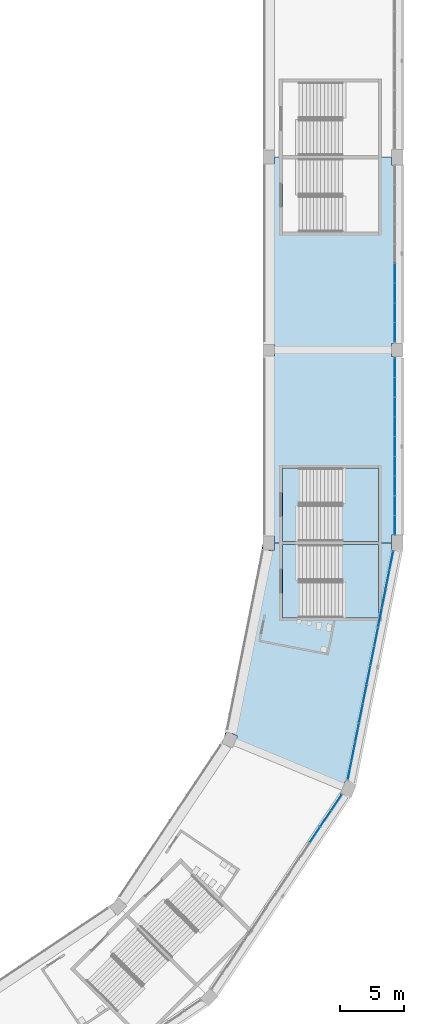
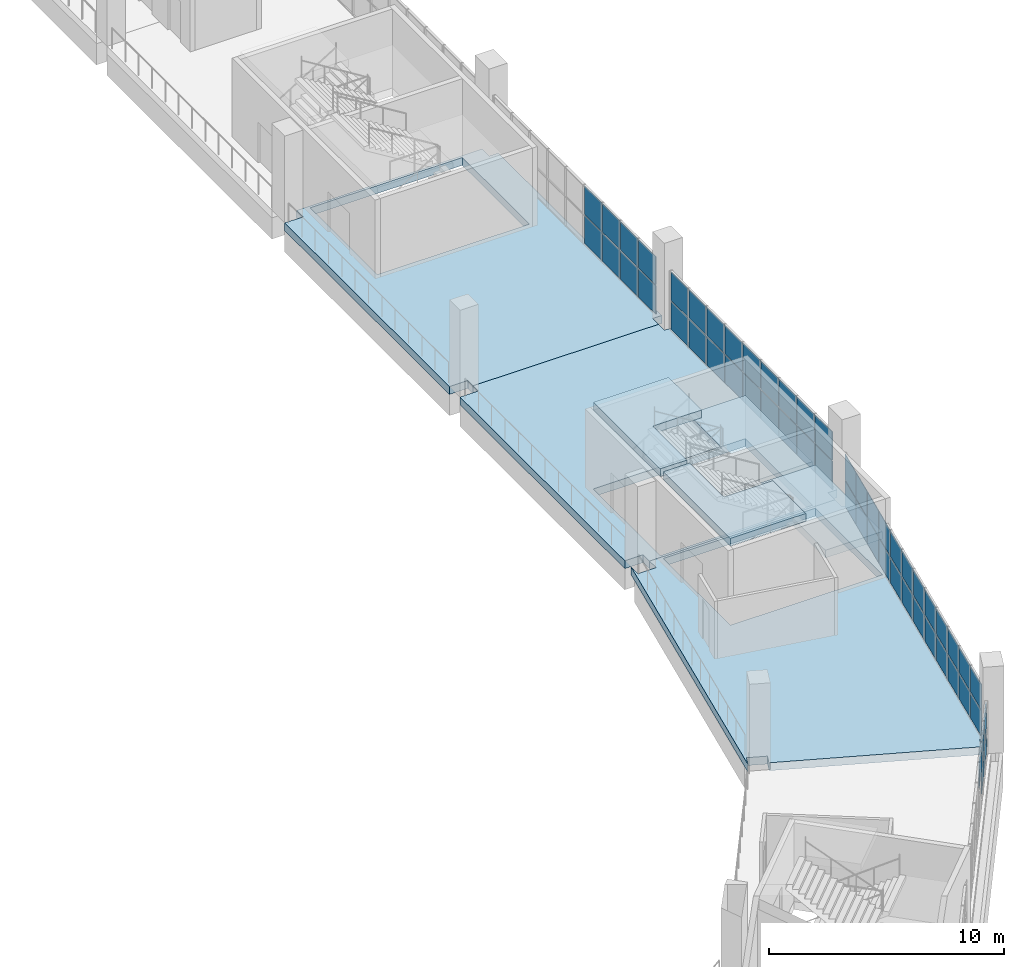
# One storey, part 50 of 177: 55 plates, 7 slabs, 6 elements without a shape of their own.
"""IFC4 building model written with IfcOpenShell, lengths in metres."""

from ifc_helpers import new_model, si_unit, direction, frame, origin, origin_2d, place, context, subcontext, project, spatial, polyline, rectangle, outline, extrude, material, layer, layer_set, type_object, element, aggregate, save


model = new_model("IFC4")

# Units and contexts
model_context = context("Model", 3, precision=1e-05, world=origin(), true_north=direction((0.0, 1.0)))
body_context = subcontext(model_context, "Body", "Model", "MODEL_VIEW")
ifc_project = project(units=[si_unit("LENGTHUNIT", "METRE"), si_unit("AREAUNIT", "SQUARE_METRE"), si_unit("VOLUMEUNIT", "CUBIC_METRE"), si_unit("PLANEANGLEUNIT", "RADIAN"), si_unit("MASSUNIT", "GRAM", prefix="KILO")], contexts=[model_context])

# Site, building, storey
site_placement = place(None, origin())
site = spatial("IfcSite", under=ifc_project, at=site_placement, CompositionType="ELEMENT")
building_placement = place(site_placement, origin())
building = spatial("IfcBuilding", under=site, at=building_placement, Name="Ogive Plaza Stadium", CompositionType="ELEMENT")
storey_placement = place(building_placement, frame((0.0, 0.0, 18.0)))
storey = spatial("IfcBuildingStorey", under=building, at=storey_placement, Name="L04", CompositionType="ELEMENT", Elevation=18.0)

# Curtain wall, plates
ifc_material_1 = material(Name="Bronze-anodised aluminium with laminated glass", Category="aluminium")
curtain_wall_type = type_object("IfcCurtainWallType", Name="Lancet curtain wall", PredefinedType="NOTDEFINED", material=ifc_material_1)
curtain_wall_1_placement = place(storey_placement, origin())
curtain_wall_1 = element("IfcCurtainWall", 1, at=curtain_wall_1_placement, inside=storey, type_object=curtain_wall_type, Name="CURTAIN WALL B06 L04", PredefinedType="NOTDEFINED")
ifc_material_2 = material(Name="Laminated glass", Category="glass")
ifc_layer_1 = layer(ifc_material_2, 0.028076171875)
ifc_layer_set_1 = layer_set([ifc_layer_1], Name="Laminated glass panel 28")
plate_type = type_object("IfcPlateType", Name="Laminated glass panel 28", PredefinedType="CURTAIN_PANEL", material=ifc_layer_set_1)
plate_1_placement = place(storey_placement, frame((83.800048828125, -31.533447265625, 0.0498046875), z_axis=(0.0, 0.0, 1.0), x_axis=(0.0, -1.0, 0.0)))
plate_1 = element("IfcPlate", 2, at=plate_1_placement, type_object=plate_type, Name="CW-B06-L04 panel 6.1", PredefinedType="CURTAIN_PANEL", context=body_context, shape_type="SweptSolid", body=[
    extrude(rectangle(XDim=1.4833984375, YDim=0.028076171875, at=origin_2d()), origin(), (0.0, 0.0, 1.0), 1.469970703125),
])
plate_2_placement = place(storey_placement, frame((83.800048828125, -31.533447265625, 1.56982421875), z_axis=(0.0, 0.0, 1.0), x_axis=(0.0, -1.0, 0.0)))
plate_2 = element("IfcPlate", 3, at=plate_2_placement, type_object=plate_type, Name="CW-B06-L04 panel 6.2", PredefinedType="CURTAIN_PANEL", context=body_context, shape_type="SweptSolid", body=[
    extrude(rectangle(XDim=1.4833984375, YDim=0.028076171875, at=origin_2d()), origin(), (0.0, 0.0, 1.0), 1.469970703125),
])
plate_3_placement = place(storey_placement, frame((83.800048828125, -33.066650390625, 0.0498046875), z_axis=(0.0, 0.0, 1.0), x_axis=(0.0, -1.0, 0.0)))
plate_3 = element("IfcPlate", 4, at=plate_3_placement, type_object=plate_type, Name="CW-B06-L04 panel 7.1", PredefinedType="CURTAIN_PANEL", context=body_context, shape_type="SweptSolid", body=[
    extrude(rectangle(XDim=1.4833984375, YDim=0.028076171875, at=origin_2d()), origin(), (0.0, 0.0, 1.0), 1.469970703125),
])
plate_4_placement = place(storey_placement, frame((83.800048828125, -33.066650390625, 1.56982421875), z_axis=(0.0, 0.0, 1.0), x_axis=(0.0, -1.0, 0.0)))
plate_4 = element("IfcPlate", 5, at=plate_4_placement, type_object=plate_type, Name="CW-B06-L04 panel 7.2", PredefinedType="CURTAIN_PANEL", context=body_context, shape_type="SweptSolid", body=[
    extrude(rectangle(XDim=1.4833984375, YDim=0.028076171875, at=origin_2d()), origin(), (0.0, 0.0, 1.0), 1.469970703125),
])
plate_5_placement = place(storey_placement, frame((83.800048828125, -34.60009765625, 0.0498046875), z_axis=(0.0, 0.0, 1.0), x_axis=(0.0, -1.0, 0.0)))
plate_5 = element("IfcPlate", 6, at=plate_5_placement, type_object=plate_type, Name="CW-B06-L04 panel 8.1", PredefinedType="CURTAIN_PANEL", context=body_context, shape_type="SweptSolid", body=[
    extrude(rectangle(XDim=1.4833984375, YDim=0.028076171875, at=origin_2d()), origin(), (0.0, 0.0, 1.0), 1.469970703125),
])
plate_6_placement = place(storey_placement, frame((83.800048828125, -34.60009765625, 1.56982421875), z_axis=(0.0, 0.0, 1.0), x_axis=(0.0, -1.0, 0.0)))
plate_6 = element("IfcPlate", 7, at=plate_6_placement, type_object=plate_type, Name="CW-B06-L04 panel 8.2", PredefinedType="CURTAIN_PANEL", context=body_context, shape_type="SweptSolid", body=[
    extrude(rectangle(XDim=1.4833984375, YDim=0.028076171875, at=origin_2d()), origin(), (0.0, 0.0, 1.0), 1.469970703125),
])
plate_7_placement = place(storey_placement, frame((83.800048828125, -36.120849609375, 0.0498046875), z_axis=(0.0, 0.0, 1.0), x_axis=(0.0, -1.0, 0.0)))
plate_7 = element("IfcPlate", 8, at=plate_7_placement, type_object=plate_type, Name="CW-B06-L04 panel 9.1", PredefinedType="CURTAIN_PANEL", context=body_context, shape_type="SweptSolid", body=[
    extrude(rectangle(XDim=1.458251953125, YDim=0.028076171875, at=origin_2d()), origin(), (0.0, 0.0, 1.0), 1.469970703125),
])
plate_8_placement = place(storey_placement, frame((83.800048828125, -36.120849609375, 1.56982421875), z_axis=(0.0, 0.0, 1.0), x_axis=(0.0, -1.0, 0.0)))
plate_8 = element("IfcPlate", 9, at=plate_8_placement, type_object=plate_type, Name="CW-B06-L04 panel 9.2", PredefinedType="CURTAIN_PANEL", context=body_context, shape_type="SweptSolid", body=[
    extrude(rectangle(XDim=1.458251953125, YDim=0.028076171875, at=origin_2d()), origin(), (0.0, 0.0, 1.0), 1.469970703125),
])
aggregate(curtain_wall_1, [plate_1, plate_2, plate_3, plate_4, plate_5, plate_6, plate_7, plate_8])

curtain_wall_2_placement = place(storey_placement, origin())
curtain_wall_2 = element("IfcCurtainWall", 10, at=curtain_wall_2_placement, inside=storey, type_object=curtain_wall_type, Name="CURTAIN WALL B07 L04", PredefinedType="NOTDEFINED")
plate_9_placement = place(storey_placement, frame((83.800048828125, -38.879150390625, 0.0498046875), z_axis=(0.0, 0.0, 1.0), x_axis=(0.0, -1.0, 0.0)))
plate_9 = element("IfcPlate", 11, at=plate_9_placement, type_object=plate_type, Name="CW-B07-L04 panel 1.1", PredefinedType="CURTAIN_PANEL", context=body_context, shape_type="SweptSolid", body=[
    extrude(rectangle(XDim=1.458251953125, YDim=0.028076171875, at=origin_2d()), origin(), (0.0, 0.0, 1.0), 1.469970703125),
])
plate_10_placement = place(storey_placement, frame((83.800048828125, -38.879150390625, 1.56982421875), z_axis=(0.0, 0.0, 1.0), x_axis=(0.0, -1.0, 0.0)))
plate_10 = element("IfcPlate", 12, at=plate_10_placement, type_object=plate_type, Name="CW-B07-L04 panel 1.2", PredefinedType="CURTAIN_PANEL", context=body_context, shape_type="SweptSolid", body=[
    extrude(rectangle(XDim=1.458251953125, YDim=0.028076171875, at=origin_2d()), origin(), (0.0, 0.0, 1.0), 1.469970703125),
])
plate_11_placement = place(storey_placement, frame((83.800048828125, -40.39990234375, 0.0498046875), z_axis=(0.0, 0.0, 1.0), x_axis=(0.0, -1.0, 0.0)))
plate_11 = element("IfcPlate", 13, at=plate_11_placement, type_object=plate_type, Name="CW-B07-L04 panel 2.1", PredefinedType="CURTAIN_PANEL", context=body_context, shape_type="SweptSolid", body=[
    extrude(rectangle(XDim=1.4833984375, YDim=0.028076171875, at=origin_2d()), origin(), (0.0, 0.0, 1.0), 1.469970703125),
])
plate_12_placement = place(storey_placement, frame((83.800048828125, -40.39990234375, 1.56982421875), z_axis=(0.0, 0.0, 1.0), x_axis=(0.0, -1.0, 0.0)))
plate_12 = element("IfcPlate", 14, at=plate_12_placement, type_object=plate_type, Name="CW-B07-L04 panel 2.2", PredefinedType="CURTAIN_PANEL", context=body_context, shape_type="SweptSolid", body=[
    extrude(rectangle(XDim=1.4833984375, YDim=0.028076171875, at=origin_2d()), origin(), (0.0, 0.0, 1.0), 1.469970703125),
])
plate_13_placement = place(storey_placement, frame((83.800048828125, -41.933349609375, 0.0498046875), z_axis=(0.0, 0.0, 1.0), x_axis=(0.0, -1.0, 0.0)))
plate_13 = element("IfcPlate", 15, at=plate_13_placement, type_object=plate_type, Name="CW-B07-L04 panel 3.1", PredefinedType="CURTAIN_PANEL", context=body_context, shape_type="SweptSolid", body=[
    extrude(rectangle(XDim=1.4833984375, YDim=0.028076171875, at=origin_2d()), origin(), (0.0, 0.0, 1.0), 1.469970703125),
])
plate_14_placement = place(storey_placement, frame((83.800048828125, -41.933349609375, 1.56982421875), z_axis=(0.0, 0.0, 1.0), x_axis=(0.0, -1.0, 0.0)))
plate_14 = element("IfcPlate", 16, at=plate_14_placement, type_object=plate_type, Name="CW-B07-L04 panel 3.2", PredefinedType="CURTAIN_PANEL", context=body_context, shape_type="SweptSolid", body=[
    extrude(rectangle(XDim=1.4833984375, YDim=0.028076171875, at=origin_2d()), origin(), (0.0, 0.0, 1.0), 1.469970703125),
])
plate_15_placement = place(storey_placement, frame((83.800048828125, -43.466552734375, 0.0498046875), z_axis=(0.0, 0.0, 1.0), x_axis=(0.0, -1.0, 0.0)))
plate_15 = element("IfcPlate", 17, at=plate_15_placement, type_object=plate_type, Name="CW-B07-L04 panel 4.1", PredefinedType="CURTAIN_PANEL", context=body_context, shape_type="SweptSolid", body=[
    extrude(rectangle(XDim=1.4833984375, YDim=0.028076171875, at=origin_2d()), origin(), (0.0, 0.0, 1.0), 1.469970703125),
])
plate_16_placement = place(storey_placement, frame((83.800048828125, -43.466552734375, 1.56982421875), z_axis=(0.0, 0.0, 1.0), x_axis=(0.0, -1.0, 0.0)))
plate_16 = element("IfcPlate", 18, at=plate_16_placement, type_object=plate_type, Name="CW-B07-L04 panel 4.2", PredefinedType="CURTAIN_PANEL", context=body_context, shape_type="SweptSolid", body=[
    extrude(rectangle(XDim=1.4833984375, YDim=0.028076171875, at=origin_2d()), origin(), (0.0, 0.0, 1.0), 1.469970703125),
])
plate_17_placement = place(storey_placement, frame((83.800048828125, -45.0, 0.0498046875), z_axis=(0.0, 0.0, 1.0), x_axis=(0.0, -1.0, 0.0)))
plate_17 = element("IfcPlate", 19, at=plate_17_placement, type_object=plate_type, Name="CW-B07-L04 panel 5.1", PredefinedType="CURTAIN_PANEL", context=body_context, shape_type="SweptSolid", body=[
    extrude(rectangle(XDim=1.4833984375, YDim=0.028076171875, at=origin_2d()), origin(), (0.0, 0.0, 1.0), 1.469970703125),
])
plate_18_placement = place(storey_placement, frame((83.800048828125, -45.0, 1.56982421875), z_axis=(0.0, 0.0, 1.0), x_axis=(0.0, -1.0, 0.0)))
plate_18 = element("IfcPlate", 20, at=plate_18_placement, type_object=plate_type, Name="CW-B07-L04 panel 5.2", PredefinedType="CURTAIN_PANEL", context=body_context, shape_type="SweptSolid", body=[
    extrude(rectangle(XDim=1.4833984375, YDim=0.028076171875, at=origin_2d()), origin(), (0.0, 0.0, 1.0), 1.469970703125),
])
plate_19_placement = place(storey_placement, frame((83.800048828125, -46.533447265625, 0.0498046875), z_axis=(0.0, 0.0, 1.0), x_axis=(0.0, -1.0, 0.0)))
plate_19 = element("IfcPlate", 21, at=plate_19_placement, type_object=plate_type, Name="CW-B07-L04 panel 6.1", PredefinedType="CURTAIN_PANEL", context=body_context, shape_type="SweptSolid", body=[
    extrude(rectangle(XDim=1.4833984375, YDim=0.028076171875, at=origin_2d()), origin(), (0.0, 0.0, 1.0), 1.469970703125),
])
plate_20_placement = place(storey_placement, frame((83.800048828125, -46.533447265625, 1.56982421875), z_axis=(0.0, 0.0, 1.0), x_axis=(0.0, -1.0, 0.0)))
plate_20 = element("IfcPlate", 22, at=plate_20_placement, type_object=plate_type, Name="CW-B07-L04 panel 6.2", PredefinedType="CURTAIN_PANEL", context=body_context, shape_type="SweptSolid", body=[
    extrude(rectangle(XDim=1.4833984375, YDim=0.028076171875, at=origin_2d()), origin(), (0.0, 0.0, 1.0), 1.469970703125),
])
plate_21_placement = place(storey_placement, frame((83.800048828125, -48.066650390625, 0.0498046875), z_axis=(0.0, 0.0, 1.0), x_axis=(0.0, -1.0, 0.0)))
plate_21 = element("IfcPlate", 23, at=plate_21_placement, type_object=plate_type, Name="CW-B07-L04 panel 7.1", PredefinedType="CURTAIN_PANEL", context=body_context, shape_type="SweptSolid", body=[
    extrude(rectangle(XDim=1.4833984375, YDim=0.028076171875, at=origin_2d()), origin(), (0.0, 0.0, 1.0), 1.469970703125),
])
plate_22_placement = place(storey_placement, frame((83.800048828125, -48.066650390625, 1.56982421875), z_axis=(0.0, 0.0, 1.0), x_axis=(0.0, -1.0, 0.0)))
plate_22 = element("IfcPlate", 24, at=plate_22_placement, type_object=plate_type, Name="CW-B07-L04 panel 7.2", PredefinedType="CURTAIN_PANEL", context=body_context, shape_type="SweptSolid", body=[
    extrude(rectangle(XDim=1.4833984375, YDim=0.028076171875, at=origin_2d()), origin(), (0.0, 0.0, 1.0), 1.469970703125),
])
plate_23_placement = place(storey_placement, frame((83.800048828125, -49.60009765625, 0.0498046875), z_axis=(0.0, 0.0, 1.0), x_axis=(0.0, -1.0, 0.0)))
plate_23 = element("IfcPlate", 25, at=plate_23_placement, type_object=plate_type, Name="CW-B07-L04 panel 8.1", PredefinedType="CURTAIN_PANEL", context=body_context, shape_type="SweptSolid", body=[
    extrude(rectangle(XDim=1.4833984375, YDim=0.028076171875, at=origin_2d()), origin(), (0.0, 0.0, 1.0), 1.469970703125),
])
plate_24_placement = place(storey_placement, frame((83.800048828125, -49.60009765625, 1.56982421875), z_axis=(0.0, 0.0, 1.0), x_axis=(0.0, -1.0, 0.0)))
plate_24 = element("IfcPlate", 26, at=plate_24_placement, type_object=plate_type, Name="CW-B07-L04 panel 8.2", PredefinedType="CURTAIN_PANEL", context=body_context, shape_type="SweptSolid", body=[
    extrude(rectangle(XDim=1.4833984375, YDim=0.028076171875, at=origin_2d()), origin(), (0.0, 0.0, 1.0), 1.469970703125),
])
plate_25_placement = place(storey_placement, frame((83.800048828125, -51.120849609375, 0.0498046875), z_axis=(0.0, 0.0, 1.0), x_axis=(0.0, -1.0, 0.0)))
plate_25 = element("IfcPlate", 27, at=plate_25_placement, type_object=plate_type, Name="CW-B07-L04 panel 9.1", PredefinedType="CURTAIN_PANEL", context=body_context, shape_type="SweptSolid", body=[
    extrude(rectangle(XDim=1.458251953125, YDim=0.028076171875, at=origin_2d()), origin(), (0.0, 0.0, 1.0), 1.469970703125),
])
plate_26_placement = place(storey_placement, frame((83.800048828125, -51.120849609375, 1.56982421875), z_axis=(0.0, 0.0, 1.0), x_axis=(0.0, -1.0, 0.0)))
plate_26 = element("IfcPlate", 28, at=plate_26_placement, type_object=plate_type, Name="CW-B07-L04 panel 9.2", PredefinedType="CURTAIN_PANEL", context=body_context, shape_type="SweptSolid", body=[
    extrude(rectangle(XDim=1.458251953125, YDim=0.028076171875, at=origin_2d()), origin(), (0.0, 0.0, 1.0), 1.469970703125),
])
aggregate(curtain_wall_2, [plate_9, plate_10, plate_11, plate_12, plate_13, plate_14, plate_15, plate_16, plate_17, plate_18, plate_19, plate_20, plate_21, plate_22, plate_23, plate_24, plate_25, plate_26])

curtain_wall_3_placement = place(storey_placement, origin())
curtain_wall_3 = element("IfcCurtainWall", 29, at=curtain_wall_3_placement, inside=storey, type_object=curtain_wall_type, Name="CURTAIN WALL B08 L04", PredefinedType="NOTDEFINED")
plate_27_placement = place(storey_placement, frame((83.522705078125, -53.874267578125, 0.0498046875), z_axis=(0.0, 0.0, 1.0), x_axis=(-0.195090322016, -0.980785280403, 0.0)))
plate_27 = element("IfcPlate", 30, at=plate_27_placement, type_object=plate_type, Name="CW-B08-L04 panel 1.1", PredefinedType="CURTAIN_PANEL", context=body_context, shape_type="SweptSolid", body=[
    extrude(rectangle(XDim=1.43896484375, YDim=0.028076171875, at=origin_2d()), origin(), (0.0, 0.0, 1.0), 1.320068359375),
])
plate_28_placement = place(storey_placement, frame((83.522705078125, -53.874267578125, 1.419921875), z_axis=(0.0, 0.0, 1.0), x_axis=(-0.195090322016, -0.980785280403, 0.0)))
plate_28 = element("IfcPlate", 31, at=plate_28_placement, type_object=plate_type, Name="CW-B08-L04 panel 1.2", PredefinedType="CURTAIN_PANEL", context=body_context, shape_type="SweptSolid", body=[
    extrude(rectangle(XDim=1.43896484375, YDim=0.028076171875, at=origin_2d()), origin(), (0.0, 0.0, 1.0), 1.320068359375),
])
plate_29_placement = place(storey_placement, frame((83.229736328125, -55.3466796875, 0.0498046875), z_axis=(0.0, 0.0, 1.0), x_axis=(-0.195090322016, -0.980785280403, 0.0)))
plate_29 = element("IfcPlate", 32, at=plate_29_placement, type_object=plate_type, Name="CW-B08-L04 panel 2.1", PredefinedType="CURTAIN_PANEL", context=body_context, shape_type="SweptSolid", body=[
    extrude(rectangle(XDim=1.4638671875, YDim=0.028076171875, at=origin_2d()), origin(), (0.0, 0.0, 1.0), 1.320068359375),
])
plate_30_placement = place(storey_placement, frame((83.229736328125, -55.3466796875, 1.419921875), z_axis=(0.0, 0.0, 1.0), x_axis=(-0.195090322016, -0.980785280403, 0.0)))
plate_30 = element("IfcPlate", 33, at=plate_30_placement, type_object=plate_type, Name="CW-B08-L04 panel 2.2", PredefinedType="CURTAIN_PANEL", context=body_context, shape_type="SweptSolid", body=[
    extrude(rectangle(XDim=1.4638671875, YDim=0.028076171875, at=origin_2d()), origin(), (0.0, 0.0, 1.0), 1.320068359375),
])
plate_31_placement = place(storey_placement, frame((82.9345703125, -56.831298828125, 0.0498046875), z_axis=(0.0, 0.0, 1.0), x_axis=(-0.195090322016, -0.980785280403, 0.0)))
plate_31 = element("IfcPlate", 34, at=plate_31_placement, type_object=plate_type, Name="CW-B08-L04 panel 3.1", PredefinedType="CURTAIN_PANEL", context=body_context, shape_type="SweptSolid", body=[
    extrude(rectangle(XDim=1.4638671875, YDim=0.028076171875, at=origin_2d()), origin(), (0.0, 0.0, 1.0), 1.320068359375),
])
plate_32_placement = place(storey_placement, frame((82.9345703125, -56.831298828125, 1.419921875), z_axis=(0.0, 0.0, 1.0), x_axis=(-0.195090322016, -0.980785280403, 0.0)))
plate_32 = element("IfcPlate", 35, at=plate_32_placement, type_object=plate_type, Name="CW-B08-L04 panel 3.2", PredefinedType="CURTAIN_PANEL", context=body_context, shape_type="SweptSolid", body=[
    extrude(rectangle(XDim=1.4638671875, YDim=0.028076171875, at=origin_2d()), origin(), (0.0, 0.0, 1.0), 1.320068359375),
])
plate_33_placement = place(storey_placement, frame((82.63916015625, -58.316162109375, 0.0498046875), z_axis=(0.0, 0.0, 1.0), x_axis=(-0.195090322016, -0.980785280403, 0.0)))
plate_33 = element("IfcPlate", 36, at=plate_33_placement, type_object=plate_type, Name="CW-B08-L04 panel 4.1", PredefinedType="CURTAIN_PANEL", context=body_context, shape_type="SweptSolid", body=[
    extrude(rectangle(XDim=1.4638671875, YDim=0.028076171875, at=origin_2d()), origin(), (0.0, 0.0, 1.0), 1.320068359375),
])
plate_34_placement = place(storey_placement, frame((82.63916015625, -58.316162109375, 1.419921875), z_axis=(0.0, 0.0, 1.0), x_axis=(-0.195090322016, -0.980785280403, 0.0)))
plate_34 = element("IfcPlate", 37, at=plate_34_placement, type_object=plate_type, Name="CW-B08-L04 panel 4.2", PredefinedType="CURTAIN_PANEL", context=body_context, shape_type="SweptSolid", body=[
    extrude(rectangle(XDim=1.4638671875, YDim=0.028076171875, at=origin_2d()), origin(), (0.0, 0.0, 1.0), 1.320068359375),
])
plate_35_placement = place(storey_placement, frame((82.34375, -59.801025390625, 0.0498046875), z_axis=(0.0, 0.0, 1.0), x_axis=(-0.195090322016, -0.980785280403, 0.0)))
plate_35 = element("IfcPlate", 38, at=plate_35_placement, type_object=plate_type, Name="CW-B08-L04 panel 5.1", PredefinedType="CURTAIN_PANEL", context=body_context, shape_type="SweptSolid", body=[
    extrude(rectangle(XDim=1.4638671875, YDim=0.028076171875, at=origin_2d()), origin(), (0.0, 0.0, 1.0), 1.320068359375),
])
plate_36_placement = place(storey_placement, frame((82.34375, -59.801025390625, 1.419921875), z_axis=(0.0, 0.0, 1.0), x_axis=(-0.195090322016, -0.980785280403, 0.0)))
plate_36 = element("IfcPlate", 39, at=plate_36_placement, type_object=plate_type, Name="CW-B08-L04 panel 5.2", PredefinedType="CURTAIN_PANEL", context=body_context, shape_type="SweptSolid", body=[
    extrude(rectangle(XDim=1.4638671875, YDim=0.028076171875, at=origin_2d()), origin(), (0.0, 0.0, 1.0), 1.320068359375),
])
plate_37_placement = place(storey_placement, frame((82.048583984375, -61.28564453125, 0.0498046875), z_axis=(0.0, 0.0, 1.0), x_axis=(-0.195090322016, -0.980785280403, 0.0)))
plate_37 = element("IfcPlate", 40, at=plate_37_placement, type_object=plate_type, Name="CW-B08-L04 panel 6.1", PredefinedType="CURTAIN_PANEL", context=body_context, shape_type="SweptSolid", body=[
    extrude(rectangle(XDim=1.4638671875, YDim=0.028076171875, at=origin_2d()), origin(), (0.0, 0.0, 1.0), 1.320068359375),
])
plate_38_placement = place(storey_placement, frame((82.048583984375, -61.28564453125, 1.419921875), z_axis=(0.0, 0.0, 1.0), x_axis=(-0.195090322016, -0.980785280403, 0.0)))
plate_38 = element("IfcPlate", 41, at=plate_38_placement, type_object=plate_type, Name="CW-B08-L04 panel 6.2", PredefinedType="CURTAIN_PANEL", context=body_context, shape_type="SweptSolid", body=[
    extrude(rectangle(XDim=1.4638671875, YDim=0.028076171875, at=origin_2d()), origin(), (0.0, 0.0, 1.0), 1.320068359375),
])
plate_39_placement = place(storey_placement, frame((81.753173828125, -62.7705078125, 0.0498046875), z_axis=(0.0, 0.0, 1.0), x_axis=(-0.195090322016, -0.980785280403, 0.0)))
plate_39 = element("IfcPlate", 42, at=plate_39_placement, type_object=plate_type, Name="CW-B08-L04 panel 7.1", PredefinedType="CURTAIN_PANEL", context=body_context, shape_type="SweptSolid", body=[
    extrude(rectangle(XDim=1.4638671875, YDim=0.028076171875, at=origin_2d()), origin(), (0.0, 0.0, 1.0), 1.320068359375),
])
plate_40_placement = place(storey_placement, frame((81.753173828125, -62.7705078125, 1.419921875), z_axis=(0.0, 0.0, 1.0), x_axis=(-0.195090322016, -0.980785280403, 0.0)))
plate_40 = element("IfcPlate", 43, at=plate_40_placement, type_object=plate_type, Name="CW-B08-L04 panel 7.2", PredefinedType="CURTAIN_PANEL", context=body_context, shape_type="SweptSolid", body=[
    extrude(rectangle(XDim=1.4638671875, YDim=0.028076171875, at=origin_2d()), origin(), (0.0, 0.0, 1.0), 1.320068359375),
])
plate_41_placement = place(storey_placement, frame((81.457763671875, -64.255126953125, 0.0498046875), z_axis=(0.0, 0.0, 1.0), x_axis=(-0.195090322016, -0.980785280403, 0.0)))
plate_41 = element("IfcPlate", 44, at=plate_41_placement, type_object=plate_type, Name="CW-B08-L04 panel 8.1", PredefinedType="CURTAIN_PANEL", context=body_context, shape_type="SweptSolid", body=[
    extrude(rectangle(XDim=1.4638671875, YDim=0.028076171875, at=origin_2d()), origin(), (0.0, 0.0, 1.0), 1.320068359375),
])
plate_42_placement = place(storey_placement, frame((81.457763671875, -64.255126953125, 1.419921875), z_axis=(0.0, 0.0, 1.0), x_axis=(-0.195090322016, -0.980785280403, 0.0)))
plate_42 = element("IfcPlate", 45, at=plate_42_placement, type_object=plate_type, Name="CW-B08-L04 panel 8.2", PredefinedType="CURTAIN_PANEL", context=body_context, shape_type="SweptSolid", body=[
    extrude(rectangle(XDim=1.4638671875, YDim=0.028076171875, at=origin_2d()), origin(), (0.0, 0.0, 1.0), 1.320068359375),
])
plate_43_placement = place(storey_placement, frame((81.16259765625, -65.739990234375, 0.0498046875), z_axis=(0.0, 0.0, 1.0), x_axis=(-0.195090322016, -0.980785280403, 0.0)))
plate_43 = element("IfcPlate", 46, at=plate_43_placement, type_object=plate_type, Name="CW-B08-L04 panel 9.1", PredefinedType="CURTAIN_PANEL", context=body_context, shape_type="SweptSolid", body=[
    extrude(rectangle(XDim=1.4638671875, YDim=0.028076171875, at=origin_2d()), origin(), (0.0, 0.0, 1.0), 1.320068359375),
])
plate_44_placement = place(storey_placement, frame((81.16259765625, -65.739990234375, 1.419921875), z_axis=(0.0, 0.0, 1.0), x_axis=(-0.195090322016, -0.980785280403, 0.0)))
plate_44 = element("IfcPlate", 47, at=plate_44_placement, type_object=plate_type, Name="CW-B08-L04 panel 9.2", PredefinedType="CURTAIN_PANEL", context=body_context, shape_type="SweptSolid", body=[
    extrude(rectangle(XDim=1.4638671875, YDim=0.028076171875, at=origin_2d()), origin(), (0.0, 0.0, 1.0), 1.320068359375),
])
plate_45_placement = place(storey_placement, frame((80.8671875, -67.224609375, 0.0498046875), z_axis=(0.0, 0.0, 1.0), x_axis=(-0.195090322016, -0.980785280403, 0.0)))
plate_45 = element("IfcPlate", 48, at=plate_45_placement, type_object=plate_type, Name="CW-B08-L04 panel 10.1", PredefinedType="CURTAIN_PANEL", context=body_context, shape_type="SweptSolid", body=[
    extrude(rectangle(XDim=1.4638671875, YDim=0.028076171875, at=origin_2d()), origin(), (0.0, 0.0, 1.0), 1.320068359375),
])
plate_46_placement = place(storey_placement, frame((80.8671875, -67.224609375, 1.419921875), z_axis=(0.0, 0.0, 1.0), x_axis=(-0.195090322016, -0.980785280403, 0.0)))
plate_46 = element("IfcPlate", 49, at=plate_46_placement, type_object=plate_type, Name="CW-B08-L04 panel 10.2", PredefinedType="CURTAIN_PANEL", context=body_context, shape_type="SweptSolid", body=[
    extrude(rectangle(XDim=1.4638671875, YDim=0.028076171875, at=origin_2d()), origin(), (0.0, 0.0, 1.0), 1.320068359375),
])
plate_47_placement = place(storey_placement, frame((80.57177734375, -68.70947265625, 0.0498046875), z_axis=(0.0, 0.0, 1.0), x_axis=(-0.195090322016, -0.980785280403, 0.0)))
plate_47 = element("IfcPlate", 50, at=plate_47_placement, type_object=plate_type, Name="CW-B08-L04 panel 11.1", PredefinedType="CURTAIN_PANEL", context=body_context, shape_type="SweptSolid", body=[
    extrude(rectangle(XDim=1.4638671875, YDim=0.028076171875, at=origin_2d()), origin(), (0.0, 0.0, 1.0), 1.320068359375),
])
plate_48_placement = place(storey_placement, frame((80.57177734375, -68.70947265625, 1.419921875), z_axis=(0.0, 0.0, 1.0), x_axis=(-0.195090322016, -0.980785280403, 0.0)))
plate_48 = element("IfcPlate", 51, at=plate_48_placement, type_object=plate_type, Name="CW-B08-L04 panel 11.2", PredefinedType="CURTAIN_PANEL", context=body_context, shape_type="SweptSolid", body=[
    extrude(rectangle(XDim=1.4638671875, YDim=0.028076171875, at=origin_2d()), origin(), (0.0, 0.0, 1.0), 1.320068359375),
])
plate_49_placement = place(storey_placement, frame((80.27880859375, -70.181884765625, 0.0498046875), z_axis=(0.0, 0.0, 1.0), x_axis=(-0.195090322016, -0.980785280403, 0.0)))
plate_49 = element("IfcPlate", 52, at=plate_49_placement, type_object=plate_type, Name="CW-B08-L04 panel 12.1", PredefinedType="CURTAIN_PANEL", context=body_context, shape_type="SweptSolid", body=[
    extrude(rectangle(XDim=1.43896484375, YDim=0.028076171875, at=origin_2d()), origin(), (0.0, 0.0, 1.0), 1.320068359375),
])
plate_50_placement = place(storey_placement, frame((80.27880859375, -70.181884765625, 1.419921875), z_axis=(0.0, 0.0, 1.0), x_axis=(-0.195090322016, -0.980785280403, 0.0)))
plate_50 = element("IfcPlate", 53, at=plate_50_placement, type_object=plate_type, Name="CW-B08-L04 panel 12.2", PredefinedType="CURTAIN_PANEL", context=body_context, shape_type="SweptSolid", body=[
    extrude(rectangle(XDim=1.43896484375, YDim=0.028076171875, at=origin_2d()), origin(), (0.0, 0.0, 1.0), 1.320068359375),
])
aggregate(curtain_wall_3, [plate_27, plate_28, plate_29, plate_30, plate_31, plate_32, plate_33, plate_34, plate_35, plate_36, plate_37, plate_38, plate_39, plate_40, plate_41, plate_42, plate_43, plate_44, plate_45, plate_46, plate_47, plate_48, plate_49, plate_50])

curtain_wall_4_placement = place(storey_placement, origin())
curtain_wall_4 = element("IfcCurtainWall", 54, at=curtain_wall_4_placement, inside=storey, type_object=curtain_wall_type, Name="CURTAIN WALL B09 L04", PredefinedType="NOTDEFINED")
plate_51_placement = place(storey_placement, frame((79.253173828125, -72.68212890625, 0.0498046875), z_axis=(0.0, 0.0, 1.0), x_axis=(-0.55557023302, -0.831469612303, 0.0)))
plate_51 = element("IfcPlate", 55, at=plate_51_placement, type_object=plate_type, Name="CW-B09-L04 panel 1.1", PredefinedType="CURTAIN_PANEL", context=body_context, shape_type="SweptSolid", body=[
    extrude(rectangle(XDim=1.447265625, YDim=0.028076171875, at=origin_2d()), origin(), (0.0, 0.0, 1.0), 1.320068359375),
])
plate_52_placement = place(storey_placement, frame((79.253173828125, -72.68212890625, 1.419921875), z_axis=(0.0, 0.0, 1.0), x_axis=(-0.55557023302, -0.831469612303, 0.0)))
plate_52 = element("IfcPlate", 56, at=plate_52_placement, type_object=plate_type, Name="CW-B09-L04 panel 1.2", PredefinedType="CURTAIN_PANEL", context=body_context, shape_type="SweptSolid", body=[
    extrude(rectangle(XDim=1.447265625, YDim=0.028076171875, at=origin_2d()), origin(), (0.0, 0.0, 1.0), 1.320068359375),
])
plate_53_placement = place(storey_placement, frame((78.414306640625, -73.9375, 0.0498046875), z_axis=(0.0, 0.0, 1.0), x_axis=(-0.55557023302, -0.831469612303, 0.0)))
plate_53 = element("IfcPlate", 57, at=plate_53_placement, type_object=plate_type, Name="CW-B09-L04 panel 2.1", PredefinedType="CURTAIN_PANEL", context=body_context, shape_type="SweptSolid", body=[
    extrude(rectangle(XDim=1.472412109375, YDim=0.028076171875, at=origin_2d()), origin(), (0.0, 0.0, 1.0), 1.320068359375),
])
plate_54_placement = place(storey_placement, frame((78.414306640625, -73.9375, 1.419921875), z_axis=(0.0, 0.0, 1.0), x_axis=(-0.55557023302, -0.831469612303, 0.0)))
plate_54 = element("IfcPlate", 58, at=plate_54_placement, type_object=plate_type, Name="CW-B09-L04 panel 2.2", PredefinedType="CURTAIN_PANEL", context=body_context, shape_type="SweptSolid", body=[
    extrude(rectangle(XDim=1.472412109375, YDim=0.028076171875, at=origin_2d()), origin(), (0.0, 0.0, 1.0), 1.320068359375),
])
plate_55_placement = place(storey_placement, frame((77.568603515625, -75.203369140625, 1.419921875), z_axis=(0.0, 0.0, 1.0), x_axis=(-0.55557023302, -0.831469612303, 0.0)))
plate_55 = element("IfcPlate", 59, at=plate_55_placement, type_object=plate_type, Name="CW-B09-L04 panel 3.2", PredefinedType="CURTAIN_PANEL", context=body_context, shape_type="SweptSolid", body=[
    extrude(rectangle(XDim=1.472412109375, YDim=0.028076171875, at=origin_2d()), origin(), (0.0, 0.0, 1.0), 1.320068359375),
])
aggregate(curtain_wall_4, [plate_51, plate_52, plate_53, plate_54, plate_55])

# Slabs
ifc_material_3 = material(Name="Concrete C40/50", Category="concrete")
ifc_layer_2 = layer(ifc_material_3, 0.409912109375)
ifc_layer_set_2 = layer_set([ifc_layer_2], Name="Concrete C40/50")
slab_type_1 = type_object("IfcSlabType", Name="RC floor slab 410", PredefinedType="FLOOR", material=ifc_layer_set_2)
slab_1_placement = place(storey_placement, frame((0.0, 0.0, -0.409912109375)))
element("IfcSlab", 60, at=slab_1_placement, inside=storey, type_object=slab_type_1, Name="Floor slab L04 B06", PredefinedType="FLOOR", context=body_context, shape_type="SweptSolid", body=[
    extrude(outline(polyline([(83.550048828125, -37.5), (83.550048828125, -37.0), (84.0, -37.0), (84.0, -23.10009765625), (83.550048828125, -23.10009765625), (83.550048828125, -22.5), (74.449951171875, -22.5), (74.449951171875, -23.050048828125), (73.550048828125, -23.050048828125), (73.550048828125, -37.050048828125), (74.449951171875, -37.050048828125), (74.449951171875, -37.5), (83.550048828125, -37.5)]), holes=[polyline([(75.050048828125, -22.625), (75.050048828125, -28.324951171875), (82.510009765625, -28.324951171875), (82.510009765625, -22.625), (75.050048828125, -22.625)])]), origin(), (0.0, 0.0, 1.0), 0.409912109375),
])
slab_2_placement = place(storey_placement, frame((0.0, 0.0, -0.409912109375)))
element("IfcSlab", 61, at=slab_2_placement, inside=storey, type_object=slab_type_1, Name="Floor slab L04 B07", PredefinedType="FLOOR", context=body_context, shape_type="SweptSolid", body=[
    extrude(outline(polyline([(83.550048828125, -52.5), (83.550048828125, -51.89990234375), (84.0, -51.89990234375), (84.0, -38.0), (83.550048828125, -38.0), (83.550048828125, -37.5), (74.449951171875, -37.5), (74.449951171875, -37.949951171875), (73.550048828125, -37.949951171875), (73.550048828125, -51.949951171875), (74.449951171875, -51.949951171875), (74.449951171875, -52.5), (83.550048828125, -52.5)]), holes=[polyline([(75.050048828125, -46.675048828125), (75.050048828125, -52.375), (82.510009765625, -52.375), (82.510009765625, -46.675048828125), (75.050048828125, -46.675048828125)])]), origin(), (0.0, 0.0, 1.0), 0.409912109375),
])
slab_3_placement = place(storey_placement, frame((0.0, 0.0, -0.409912109375)))
element("IfcSlab", 62, at=slab_3_placement, inside=storey, type_object=slab_type_1, Name="Floor slab L04 B08", PredefinedType="FLOOR", context=body_context, shape_type="SweptSolid", body=[
    extrude(outline(polyline([(79.7783203125, -71.4619140625), (79.98876953125, -70.953857421875), (80.303466796875, -71.084228515625), (83.880615234375, -53.10009765625), (83.550048828125, -53.10009765625), (83.550048828125, -52.5), (74.449951171875, -52.5), (74.449951171875, -53.050048828125), (73.550048828125, -53.050048828125), (73.550048828125, -52.5), (70.53955078125, -67.635009765625), (70.730712890625, -67.173095703125), (71.562255859375, -67.517578125), (71.370849609375, -67.9794921875), (79.7783203125, -71.4619140625)]), holes=[polyline([(75.050048828125, -58.324951171875), (82.510009765625, -58.324951171875), (82.510009765625, -52.625), (75.050048828125, -52.625), (75.050048828125, -58.324951171875)])]), origin(), (0.0, 0.0, 1.0), 0.409912109375),
])

# Stair, slabs
ifc_material_4 = material(Name="Concrete C40/50", Category="concrete")
stair_type = type_object("IfcStairType", Name="Exit stair", PredefinedType="STRAIGHT_RUN_STAIR", material=ifc_material_4)
stair_1_placement = place(storey_placement, origin())
stair_1 = element("IfcStair", 63, at=stair_1_placement, inside=storey, type_object=stair_type, Name="Exit stair ST08A L04 to L05", PredefinedType="STRAIGHT_RUN_STAIR")
ifc_material_5 = material(Name="Concrete C40/50", Category="concrete")
ifc_layer_3 = layer(ifc_material_5, 0.39990234375)
ifc_layer_set_3 = layer_set([ifc_layer_3], Name="Concrete C40/50")
slab_type_2 = type_object("IfcSlabType", Name="Stair landing", PredefinedType="LANDING", material=ifc_layer_set_3)
slab_4_placement = place(storey_placement, frame((0.0, 0.0, 1.85009765625)))
slab_4 = element("IfcSlab", 64, at=slab_4_placement, type_object=slab_type_2, Name="ST08A landing 1", PredefinedType="LANDING", context=body_context, shape_type="SweptSolid", body=[
    extrude(outline(polyline([(82.510009765625, -52.625), (82.510009765625, -58.324951171875), (79.7099609375, -58.324951171875), (79.7099609375, -55.425048828125), (77.31005859375, -55.425048828125), (77.31005859375, -52.625), (79.7099609375, -52.625), (82.510009765625, -52.625)])), origin(), (0.0, 0.0, 1.0), 0.39990234375),
])
slab_5_placement = place(storey_placement, frame((0.0, 0.0, 4.10009765625)))
slab_5 = element("IfcSlab", 65, at=slab_5_placement, type_object=slab_type_2, Name="ST08A landing 2", PredefinedType="LANDING", context=body_context, shape_type="SweptSolid", body=[
    extrude(outline(polyline([(78.75, -55.52490234375), (78.75, -58.324951171875), (76.35009765625, -58.324951171875), (75.050048828125, -58.324951171875), (75.050048828125, -52.625), (76.35009765625, -52.625), (76.35009765625, -55.52490234375), (78.75, -55.52490234375)])), origin(), (0.0, 0.0, 1.0), 0.39990234375),
])
aggregate(stair_1, [slab_4, slab_5])

stair_2_placement = place(storey_placement, origin())
stair_2 = element("IfcStair", 66, at=stair_2_placement, inside=storey, type_object=stair_type, Name="Exit stair ST08B L04 to L05", PredefinedType="STRAIGHT_RUN_STAIR")
slab_6_placement = place(storey_placement, frame((0.0, 0.0, 1.85009765625)))
slab_6 = element("IfcSlab", 67, at=slab_6_placement, type_object=slab_type_2, Name="ST08B landing 1", PredefinedType="LANDING", context=body_context, shape_type="SweptSolid", body=[
    extrude(outline(polyline([(77.31005859375, -52.375), (77.31005859375, -49.574951171875), (79.7099609375, -49.574951171875), (79.7099609375, -46.675048828125), (82.510009765625, -46.675048828125), (82.510009765625, -52.375), (79.7099609375, -52.375), (77.31005859375, -52.375)])), origin(), (0.0, 0.0, 1.0), 0.39990234375),
])
slab_7_placement = place(storey_placement, frame((0.0, 0.0, 4.10009765625)))
slab_7 = element("IfcSlab", 68, at=slab_7_placement, type_object=slab_type_2, Name="ST08B landing 2", PredefinedType="LANDING", context=body_context, shape_type="SweptSolid", body=[
    extrude(outline(polyline([(76.35009765625, -52.375), (75.050048828125, -52.375), (75.050048828125, -46.675048828125), (76.35009765625, -46.675048828125), (78.75, -46.675048828125), (78.75, -49.47509765625), (76.35009765625, -49.47509765625), (76.35009765625, -52.375)])), origin(), (0.0, 0.0, 1.0), 0.39990234375),
])
aggregate(stair_2, [slab_6, slab_7])

save(model, "model.ifc")
